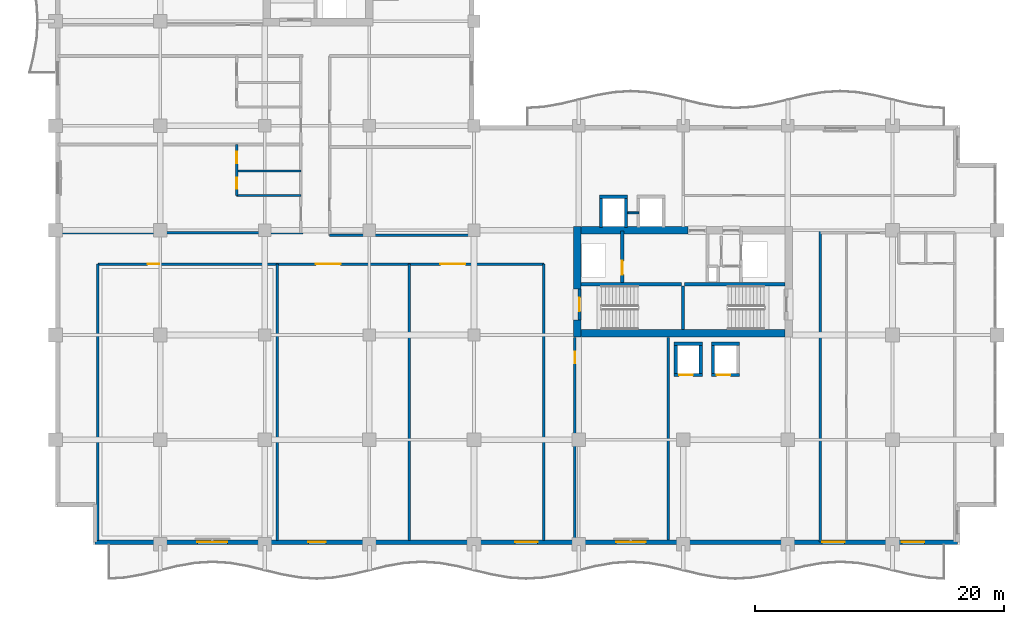
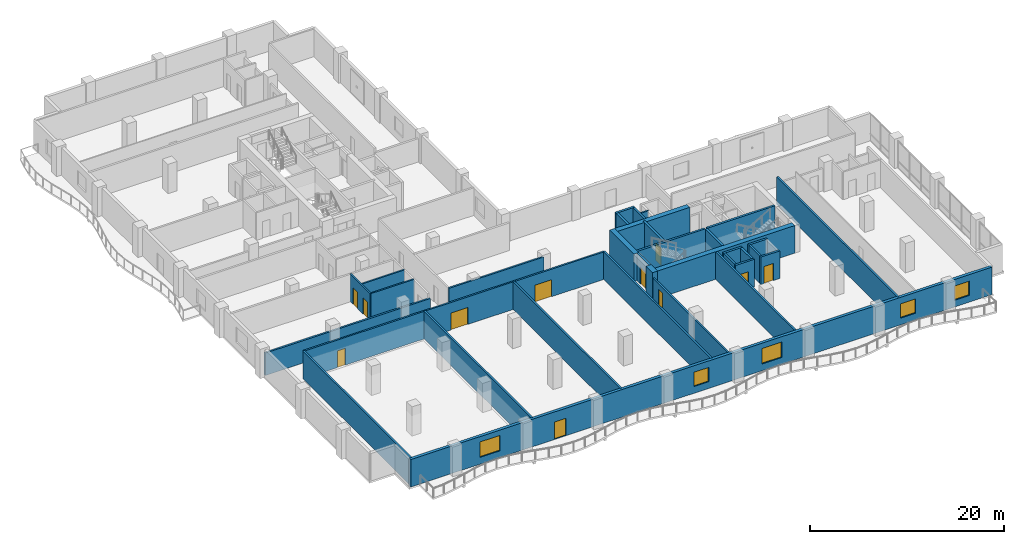
# One storey, part 9 of 20: 34 walls, 11 doors, 5 windows, 16 openings.
"""IFC4 building model written with IfcOpenShell, lengths in metres."""

from ifc_helpers import new_model, si_unit, direction, frame, frame_2d, origin, place, context, subcontext, project, spatial, rectangle, extrude, material, layer, layer_set, type_object, element, fill, save


model = new_model("IFC4")

# Units and contexts
model_context = context("Model", 3, precision=1e-05, world=origin(), true_north=direction((0.0, 1.0)))
body_context = subcontext(model_context, "Body", "Model", "MODEL_VIEW")
ifc_project = project(units=[si_unit("LENGTHUNIT", "METRE"), si_unit("AREAUNIT", "SQUARE_METRE"), si_unit("VOLUMEUNIT", "CUBIC_METRE"), si_unit("PLANEANGLEUNIT", "RADIAN"), si_unit("MASSUNIT", "GRAM", prefix="KILO")], contexts=[model_context])

# Site, building, storey
site_placement = place(None, origin())
site = spatial("IfcSite", under=ifc_project, at=site_placement, CompositionType="ELEMENT")
building_placement = place(site_placement, origin())
building = spatial("IfcBuilding", under=site, at=building_placement, Name="Koriwani Terraces Tower", CompositionType="ELEMENT")
storey_placement = place(building_placement, frame((0.0, 0.0, 212.39990234375)))
storey = spatial("IfcBuildingStorey", under=building, at=storey_placement, Name="L52", CompositionType="ELEMENT", Elevation=212.39990234375)

# Walls
ifc_material_1 = material(Name="Concrete C60/75", Category="concrete")
ifc_layer_1 = layer(ifc_material_1, 0.60009765625, Name="Concrete C60/75")
ifc_layer_set_1 = layer_set([ifc_layer_1], Name="Concrete C60/75")
wall_type_1 = type_object("IfcWallType", Name="WALL_CORE_RC_600", PredefinedType="SHEAR", material=ifc_layer_set_1)
wall_1_placement = place(storey_placement, frame((41.89990234375, 16.64990234375, 0.0), z_axis=(0.0, 0.0, 1.0), x_axis=(0.0, 1.0, 0.0)))
element("IfcWall", 1, at=wall_1_placement, inside=storey, type_object=wall_type_1, Name="L52 East Split Core Shear Wall W1", PredefinedType="SHEAR", context=body_context, shape_type="SweptSolid", body=[
    extrude(rectangle(XDim=1.35009765625, YDim=0.60009765625, at=frame_2d((0.675048828125, 0.0))), origin(), (0.0, 0.0, 1.0), 3.47021484375),
])
wall_2_placement = place(storey_placement, frame((41.89990234375, 20.5, 0.0), z_axis=(0.0, 0.0, 1.0), x_axis=(0.0, 1.0, 0.0)))
element("IfcWall", 2, at=wall_2_placement, inside=storey, type_object=wall_type_1, Name="L52 East Split Core Shear Wall W2", PredefinedType="SHEAR", context=body_context, shape_type="SweptSolid", body=[
    extrude(rectangle(XDim=5.0, YDim=0.60009765625, at=frame_2d((2.5, 0.0))), origin(), (0.0, 0.0, 1.0), 3.47021484375),
])
wall_3_placement = place(storey_placement, frame((42.199951171875, 16.949951171875, 0.0), z_axis=(0.0, 0.0, 1.0), x_axis=(1.0, 0.0, 0.0)))
element("IfcWall", 3, at=wall_3_placement, inside=storey, type_object=wall_type_1, Name="L52 East Split Core Shear Wall S1", PredefinedType="SHEAR", context=body_context, shape_type="SweptSolid", body=[
    extrude(rectangle(XDim=16.35009765625, YDim=0.60009765625, at=frame_2d((8.175048828125, 0.0))), origin(), (0.0, 0.0, 1.0), 3.47021484375),
])
wall_4_placement = place(storey_placement, frame((42.199951171875, 25.199951171875, 0.0), z_axis=(0.0, 0.0, 1.0), x_axis=(1.0, 0.0, 0.0)))
element("IfcWall", 4, at=wall_4_placement, inside=storey, type_object=wall_type_1, Name="L52 East Split Core Shear Wall N1", PredefinedType="SHEAR", context=body_context, shape_type="SweptSolid", body=[
    extrude(rectangle(XDim=8.60009765625, YDim=0.60009765625, at=frame_2d((4.300048828125, 0.0))), origin(), (0.0, 0.0, 1.0), 3.47021484375),
])

# Wall, opening, door
ifc_material_2 = material(Name="Autoclaved Cellular Concrete Blockwork", Category="masonry")
ifc_layer_2 = layer(ifc_material_2, 0.199951171875, Name="Autoclaved Cellular Concrete Blockwork")
ifc_layer_set_2 = layer_set([ifc_layer_2], Name="Autoclaved Cellular Concrete Blockwork")
wall_type_2 = type_object("IfcWallType", Name="WALL_CORRIDOR_200", PredefinedType="PARTITIONING", material=ifc_layer_set_2)
wall_5_placement = place(storey_placement, frame((41.699951171875, 0.35009765625, 0.0), z_axis=(0.0, 0.0, 1.0), x_axis=(0.0, 1.0, 0.0)))
wall_5 = element("IfcWall", 5, at=wall_5_placement, inside=storey, type_object=wall_type_2, Name="L52 Interior Wall WREC-EW-L52", PredefinedType="PARTITIONING", context=body_context, shape_type="SweptSolid", body=[
    extrude(rectangle(XDim=16.25, YDim=0.199951171875, at=frame_2d((8.125, 0.0))), origin(), (0.0, 0.0, 1.0), 2.820068359375),
])
opening_1_placement = place(wall_5_placement, frame((14.199951171875, 0.0, 0.0)))
opening_1 = element("IfcOpeningElement", 6, at=opening_1_placement, cuts=wall_5, Name="Opening D-06", PredefinedType="OPENING", context=body_context, shape_type="SweptSolid", body=[
    extrude(rectangle(XDim=0.919921875, YDim=2.10009765625, at=frame_2d((0.4599609375, 1.050048828125))), frame((0.0, 0.10986328125, 0.0), z_axis=(0.0, -1.0, 0.0), x_axis=(1.0, 0.0, 0.0)), (0.0, 0.0, 1.0), 0.219970703125),
])
ifc_material_3 = material(Name="Architectural Oak Fire Door", Category="wood")
door_type_1 = type_object("IfcDoorType", Name="DOOR_ROOM_INT_920X2100", OperationType="NOTDEFINED", PredefinedType="DOOR", material=ifc_material_3)
door_1_placement = place(opening_1_placement, origin())
door_1 = element("IfcDoor", 7, at=door_1_placement, inside=storey, type_object=door_type_1, Name="L52 Resident Co-Working Study Door", OperationType="SINGLE_SWING_LEFT", OverallHeight=2.10009765625, OverallWidth=0.919921875, PredefinedType="DOOR", context=body_context, shape_type="SweptSolid", body=[
    extrude(rectangle(XDim=0.919921875, YDim=2.10009765625, at=frame_2d((0.4599609375, 1.050048828125))), frame((0.0, 0.02490234375, 0.0), z_axis=(0.0, -1.0, 0.0), x_axis=(1.0, 0.0, 0.0)), (0.0, 0.0, 1.0), 0.050048828125),
])
fill(opening_1, door_1)

# Wall
wall_6_placement = place(storey_placement, frame((22.0, 24.800048828125, 0.0), z_axis=(0.0, 0.0, 1.0), x_axis=(1.0, 0.0, 0.0)))
element("IfcWall", 8, at=wall_6_placement, inside=storey, type_object=wall_type_2, Name="L52 Interior Wall WIC2-S-L52", PredefinedType="PARTITIONING", context=body_context, shape_type="SweptSolid", body=[
    extrude(rectangle(XDim=11.300048828125, YDim=0.199951171875, at=frame_2d((5.64990234375, 0.0))), origin(), (0.0, 0.0, 1.0), 3.47021484375),
])

# Wall, openings, doors
wall_7_placement = place(storey_placement, frame((3.39990234375, 22.5, 0.0), z_axis=(0.0, 0.0, 1.0), x_axis=(1.0, 0.0, 0.0)))
wall_7 = element("IfcWall", 9, at=wall_7_placement, inside=storey, type_object=wall_type_2, Name="L52 Interior Wall WC2CLB-L52", PredefinedType="PARTITIONING", context=body_context, shape_type="SweptSolid", body=[
    extrude(rectangle(XDim=35.800048828125, YDim=0.199951171875, at=frame_2d((17.89990234375, 0.0))), origin(), (0.0, 0.0, 1.0), 3.47021484375),
])
opening_2_placement = place(wall_7_placement, frame((4.0, 0.0, 0.0)))
opening_2 = element("IfcOpeningElement", 10, at=opening_2_placement, cuts=wall_7, Name="Opening D-06", PredefinedType="OPENING", context=body_context, shape_type="SweptSolid", body=[
    extrude(rectangle(XDim=0.919921875, YDim=2.10009765625, at=frame_2d((0.4599609375, 1.050048828125))), frame((0.0, 0.10986328125, 0.0), z_axis=(0.0, -1.0, 0.0), x_axis=(1.0, 0.0, 0.0)), (0.0, 0.0, 1.0), 0.219970703125),
])
opening_3_placement = place(wall_7_placement, frame((17.5, 0.0, 0.0)))
opening_3 = element("IfcOpeningElement", 11, at=opening_3_placement, cuts=wall_7, Name="Opening D-02", PredefinedType="OPENING", context=body_context, shape_type="SweptSolid", body=[
    extrude(rectangle(XDim=2.0, YDim=2.14990234375, at=frame_2d((1.0, 1.074951171875))), frame((0.0, 0.10986328125, 0.0), z_axis=(0.0, -1.0, 0.0), x_axis=(1.0, 0.0, 0.0)), (0.0, 0.0, 1.0), 0.219970703125),
])
opening_4_placement = place(wall_7_placement, frame((27.5, 0.0, 0.0)))
opening_4 = element("IfcOpeningElement", 12, at=opening_4_placement, cuts=wall_7, Name="Opening D-02", PredefinedType="OPENING", context=body_context, shape_type="SweptSolid", body=[
    extrude(rectangle(XDim=2.0, YDim=2.14990234375, at=frame_2d((1.0, 1.074951171875))), frame((0.0, 0.10986328125, 0.0), z_axis=(0.0, -1.0, 0.0), x_axis=(1.0, 0.0, 0.0)), (0.0, 0.0, 1.0), 0.219970703125),
])
ifc_material_4 = material(Name="Anodised Bronze Aluminium", Category="aluminium")
door_type_2 = type_object("IfcDoorType", Name="DOOR_ENTRANCE_DOUBLE_2000X2400", OperationType="NOTDEFINED", PredefinedType="DOOR", material=ifc_material_4)
door_2_placement = place(opening_3_placement, origin())
door_2 = element("IfcDoor", 13, at=door_2_placement, inside=storey, type_object=door_type_2, Name="L52 Sky Club Lounge Door", OperationType="SINGLE_SWING_LEFT", OverallHeight=2.14990234375, OverallWidth=2.0, PredefinedType="DOOR", context=body_context, shape_type="SweptSolid", body=[
    extrude(rectangle(XDim=2.0, YDim=2.14990234375, at=frame_2d((1.0, 1.074951171875))), frame((0.0, 0.02490234375, 0.0), z_axis=(0.0, -1.0, 0.0), x_axis=(1.0, 0.0, 0.0)), (0.0, 0.0, 1.0), 0.050048828125),
])
fill(opening_3, door_2)
door_3_placement = place(opening_4_placement, origin())
door_3 = element("IfcDoor", 14, at=door_3_placement, inside=storey, type_object=door_type_2, Name="L52 Private Dining Room Door", OperationType="SINGLE_SWING_RIGHT", OverallHeight=2.14990234375, OverallWidth=2.0, PredefinedType="DOOR", context=body_context, shape_type="SweptSolid", body=[
    extrude(rectangle(XDim=2.0, YDim=2.14990234375, at=frame_2d((1.0, 1.074951171875))), frame((0.0, 0.02490234375, 0.0), z_axis=(0.0, -1.0, 0.0), x_axis=(1.0, 0.0, 0.0)), (0.0, 0.0, 1.0), 0.050048828125),
])
fill(opening_4, door_3)
door_4_placement = place(opening_2_placement, origin())
door_4 = element("IfcDoor", 15, at=door_4_placement, inside=storey, type_object=door_type_1, Name="L52 Wine Tasting Cellar Door", OperationType="SINGLE_SWING_RIGHT", OverallHeight=2.10009765625, OverallWidth=0.919921875, PredefinedType="DOOR", context=body_context, shape_type="SweptSolid", body=[
    extrude(rectangle(XDim=0.919921875, YDim=2.10009765625, at=frame_2d((0.4599609375, 1.050048828125))), frame((0.0, 0.02490234375, 0.0), z_axis=(0.0, -1.0, 0.0), x_axis=(1.0, 0.0, 0.0)), (0.0, 0.0, 1.0), 0.050048828125),
])
fill(opening_2, door_4)

# Walls
ifc_layer_3 = layer(ifc_material_2, 0.219970703125, Name="Autoclaved Cellular Concrete Blockwork")
ifc_layer_set_3 = layer_set([ifc_layer_3], Name="Autoclaved Cellular Concrete Blockwork")
wall_type_3 = type_object("IfcWallType", Name="WALL_DEMISING_220", PredefinedType="PARTITIONING", material=ifc_layer_set_3)
wall_8_placement = place(storey_placement, frame((49.199951171875, 0.35009765625, 0.0), z_axis=(0.0, 0.0, 1.0), x_axis=(0.0, 1.0, 0.0)))
element("IfcWall", 16, at=wall_8_placement, inside=storey, type_object=wall_type_3, Name="L52 Interior Wall WREC-EE-L52", PredefinedType="PARTITIONING", context=body_context, shape_type="SweptSolid", body=[
    extrude(rectangle(XDim=16.25, YDim=0.219970703125, at=frame_2d((8.125, 0.0))), origin(), (0.0, 0.0, 1.0), 3.47021484375),
])
for number, where, z_axis, x_axis, name in (
    (17, (3.39990234375, 0.300048828125, 0.0), (0.0, 0.0, 1.0), (0.0, 1.0, 0.0), "L52 Interior Wall WC2CLBW0-L52"),
    (18, (17.800048828125, 0.300048828125, 0.0), (0.0, 0.0, 1.0), (0.0, 1.0, 0.0), "L52 Interior Wall WC2CLBW-L52"),
    (19, (28.39990234375, 0.300048828125, 0.0), (0.0, 0.0, 1.0), (0.0, 1.0, 0.0), "L52 Interior Wall WC2CLBM-L52"),
    (20, (39.199951171875, 0.300048828125, 0.0), (0.0, 0.0, 1.0), (0.0, 1.0, 0.0), "L52 Interior Wall WC2CLBE-L52"),
):
    element("IfcWall", number, at=place(storey_placement, frame(where, z_axis=z_axis, x_axis=x_axis)), inside=storey, type_object=wall_type_3, Name=name, PredefinedType="PARTITIONING", context=body_context, shape_type="SweptSolid", body=[
        extrude(rectangle(XDim=22.199951171875, YDim=0.219970703125, at=frame_2d((11.10009765625, 0.0))), origin(), (0.0, 0.0, 1.0), 3.47021484375),
    ])
wall_9_placement = place(storey_placement, frame((0.199951171875, 25.0, 0.0), z_axis=(0.0, 0.0, 1.0), x_axis=(1.0, 0.0, 0.0)))
element("IfcWall", 21, at=wall_9_placement, inside=storey, type_object=wall_type_3, Name="L52 Interior Wall WRDEM-L52-NW-0", PredefinedType="PARTITIONING", context=body_context, shape_type="SweptSolid", body=[
    extrude(rectangle(XDim=19.679931640625, YDim=0.219970703125, at=frame_2d((9.83984375, 0.0))), origin(), (0.0, 0.0, 1.0), 2.820068359375),
])
wall_10_placement = place(storey_placement, frame((61.39990234375, 0.199951171875, 0.0), z_axis=(0.0, 0.0, 1.0), x_axis=(0.0, 1.0, 0.0)))
element("IfcWall", 22, at=wall_10_placement, inside=storey, type_object=wall_type_3, Name="L52 Interior Wall WRDEM-L52-SE-0", PredefinedType="PARTITIONING", context=body_context, shape_type="SweptSolid", body=[
    extrude(rectangle(XDim=24.97998046875, YDim=0.219970703125, at=frame_2d((12.489990234375, 0.0))), origin(), (0.0, 0.0, 1.0), 3.47021484375),
])

# Wall, openings, door, windows
ifc_material_5 = material(Name="Concrete C50/60", Category="concrete")
ifc_layer_4 = layer(ifc_material_5, 0.35009765625, Name="Concrete C50/60")
ifc_layer_set_4 = layer_set([ifc_layer_4], Name="Concrete C50/60")
wall_type_4 = type_object("IfcWallType", Name="WALL_EXT_BRUTALIST_350", PredefinedType="STANDARD", material=ifc_layer_set_4)
wall_11_placement = place(storey_placement, frame((72.425048828125, 0.175048828125, 0.0), z_axis=(0.0, 0.0, 1.0), x_axis=(-1.0, 0.0, 0.0)))
wall_11 = element("IfcWall", 23, at=wall_11_placement, inside=storey, type_object=wall_type_4, Name="L52 Fair-Faced Brutalist Exterior Wall (S)", PredefinedType="STANDARD", context=body_context, shape_type="SweptSolid", body=[
    extrude(rectangle(XDim=69.25, YDim=0.35009765625, at=frame_2d((34.625, 0.0))), origin(), (0.0, 0.0, 1.0), 3.47021484375),
])
opening_5_placement = place(wall_11_placement, frame((50.72509765625, 0.0, 0.0)))
opening_5 = element("IfcOpeningElement", 24, at=opening_5_placement, cuts=wall_11, Name="Opening D-09", PredefinedType="OPENING", context=body_context, shape_type="SweptSolid", body=[
    extrude(rectangle(XDim=1.39990234375, YDim=2.199951171875, at=frame_2d((0.699951171875, 1.10009765625))), frame((0.0, 0.18505859375, 0.0), z_axis=(0.0, -1.0, 0.0), x_axis=(1.0, 0.0, 0.0)), (0.0, 0.0, 1.0), 0.3701171875),
])
opening_6_placement = place(wall_11_placement, frame((58.625, 0.0, 0.85009765625)))
opening_6 = element("IfcOpeningElement", 25, at=opening_6_placement, cuts=wall_11, Name="Opening W-03", PredefinedType="OPENING", context=body_context, shape_type="SweptSolid", body=[
    extrude(rectangle(XDim=2.39990234375, YDim=1.949951171875, at=frame_2d((1.199951171875, 0.97509765625))), frame((0.0, 0.18505859375, 0.0), z_axis=(0.0, -1.0, 0.0), x_axis=(1.0, 0.0, 0.0)), (0.0, 0.0, 1.0), 0.3701171875),
])
opening_7_placement = place(wall_11_placement, frame((33.72509765625, 0.0, 0.85009765625)))
opening_7 = element("IfcOpeningElement", 26, at=opening_7_placement, cuts=wall_11, Name="Opening W-04", PredefinedType="OPENING", context=body_context, shape_type="SweptSolid", body=[
    extrude(rectangle(XDim=1.800048828125, YDim=1.800048828125, at=frame_2d((0.89990234375, 0.89990234375))), frame((0.0, 0.18505859375, 0.0), z_axis=(0.0, -1.0, 0.0), x_axis=(1.0, 0.0, 0.0)), (0.0, 0.0, 1.0), 0.3701171875),
])
opening_8_placement = place(wall_11_placement, frame((25.02490234375, 0.0, 0.85009765625)))
opening_8 = element("IfcOpeningElement", 27, at=opening_8_placement, cuts=wall_11, Name="Opening W-03", PredefinedType="OPENING", context=body_context, shape_type="SweptSolid", body=[
    extrude(rectangle(XDim=2.39990234375, YDim=1.949951171875, at=frame_2d((1.199951171875, 0.97509765625))), frame((0.0, 0.18505859375, 0.0), z_axis=(0.0, -1.0, 0.0), x_axis=(1.0, 0.0, 0.0)), (0.0, 0.0, 1.0), 0.3701171875),
])
opening_9_placement = place(wall_11_placement, frame((9.074951171875, 0.0, 0.85009765625)))
opening_9 = element("IfcOpeningElement", 28, at=opening_9_placement, cuts=wall_11, Name="Opening W-04", PredefinedType="OPENING", context=body_context, shape_type="SweptSolid", body=[
    extrude(rectangle(XDim=1.800048828125, YDim=1.800048828125, at=frame_2d((0.89990234375, 0.89990234375))), frame((0.0, 0.18505859375, 0.0), z_axis=(0.0, -1.0, 0.0), x_axis=(1.0, 0.0, 0.0)), (0.0, 0.0, 1.0), 0.3701171875),
])
opening_10_placement = place(wall_11_placement, frame((2.675048828125, 0.0, 0.85009765625)))
opening_10 = element("IfcOpeningElement", 29, at=opening_10_placement, cuts=wall_11, Name="Opening W-04", PredefinedType="OPENING", context=body_context, shape_type="SweptSolid", body=[
    extrude(rectangle(XDim=1.800048828125, YDim=1.800048828125, at=frame_2d((0.89990234375, 0.89990234375))), frame((0.0, 0.18505859375, 0.0), z_axis=(0.0, -1.0, 0.0), x_axis=(1.0, 0.0, 0.0)), (0.0, 0.0, 1.0), 0.3701171875),
])
door_type_3 = type_object("IfcDoorType", Name="DOOR_BALCONY_GLAZED_1400X2200", OperationType="NOTDEFINED", PredefinedType="DOOR", material=ifc_material_4)
door_5_placement = place(opening_5_placement, origin())
door_5 = element("IfcDoor", 30, at=door_5_placement, inside=storey, type_object=door_type_3, Name="L52 South Balcony Glazed Door", OperationType="SINGLE_SWING_LEFT", OverallHeight=2.199951171875, OverallWidth=1.39990234375, PredefinedType="DOOR", context=body_context, shape_type="SweptSolid", body=[
    extrude(rectangle(XDim=1.39990234375, YDim=2.199951171875, at=frame_2d((0.699951171875, 1.10009765625))), frame((0.0, 0.02490234375, 0.0), z_axis=(0.0, -1.0, 0.0), x_axis=(1.0, 0.0, 0.0)), (0.0, 0.0, 1.0), 0.050048828125),
])
fill(opening_5, door_5)
ifc_material_6 = material(Name="Tempered Laminated Low-E Glass", Category="glass")
window_type_1 = type_object("IfcWindowType", Name="WIN_RES_BED_1800X1800", PartitioningType="DOUBLE_PANEL_VERTICAL", PredefinedType="WINDOW", material=ifc_material_6)
window_1_placement = place(opening_7_placement, origin())
window_1 = element("IfcWindow", 31, at=window_1_placement, inside=storey, type_object=window_type_1, Name="L52 Exterior Window (S-12)", OverallHeight=1.800048828125, OverallWidth=1.800048828125, PartitioningType="SINGLE_PANEL", PredefinedType="WINDOW", context=body_context, shape_type="SweptSolid", body=[
    extrude(rectangle(XDim=1.800048828125, YDim=1.800048828125, at=frame_2d((0.89990234375, 0.89990234375))), frame((0.0, 0.030029296875, 0.0), z_axis=(0.0, -1.0, 0.0), x_axis=(1.0, 0.0, 0.0)), (0.0, 0.0, 1.0), 0.06005859375),
])
fill(opening_7, window_1)
window_2_placement = place(opening_9_placement, origin())
window_2 = element("IfcWindow", 32, at=window_2_placement, inside=storey, type_object=window_type_1, Name="L52 Exterior Window (S-R49)", OverallHeight=1.800048828125, OverallWidth=1.800048828125, PartitioningType="SINGLE_PANEL", PredefinedType="WINDOW", context=body_context, shape_type="SweptSolid", body=[
    extrude(rectangle(XDim=1.800048828125, YDim=1.800048828125, at=frame_2d((0.89990234375, 0.89990234375))), frame((0.0, 0.030029296875, 0.0), z_axis=(0.0, -1.0, 0.0), x_axis=(1.0, 0.0, 0.0)), (0.0, 0.0, 1.0), 0.06005859375),
])
fill(opening_9, window_2)
window_3_placement = place(opening_10_placement, origin())
window_3 = element("IfcWindow", 33, at=window_3_placement, inside=storey, type_object=window_type_1, Name="L52 Exterior Window (S-R50)", OverallHeight=1.800048828125, OverallWidth=1.800048828125, PartitioningType="SINGLE_PANEL", PredefinedType="WINDOW", context=body_context, shape_type="SweptSolid", body=[
    extrude(rectangle(XDim=1.800048828125, YDim=1.800048828125, at=frame_2d((0.89990234375, 0.89990234375))), frame((0.0, 0.030029296875, 0.0), z_axis=(0.0, -1.0, 0.0), x_axis=(1.0, 0.0, 0.0)), (0.0, 0.0, 1.0), 0.06005859375),
])
fill(opening_10, window_3)
window_type_2 = type_object("IfcWindowType", Name="WIN_RES_LIVING_2400X1950", PartitioningType="DOUBLE_PANEL_VERTICAL", PredefinedType="WINDOW", material=ifc_material_6)
window_4_placement = place(opening_6_placement, origin())
window_4 = element("IfcWindow", 34, at=window_4_placement, inside=storey, type_object=window_type_2, Name="L52 Exterior Window (S-3)", OverallHeight=1.949951171875, OverallWidth=2.39990234375, PartitioningType="SINGLE_PANEL", PredefinedType="WINDOW", context=body_context, shape_type="SweptSolid", body=[
    extrude(rectangle(XDim=2.39990234375, YDim=1.949951171875, at=frame_2d((1.199951171875, 0.97509765625))), frame((0.0, 0.030029296875, 0.0), z_axis=(0.0, -1.0, 0.0), x_axis=(1.0, 0.0, 0.0)), (0.0, 0.0, 1.0), 0.06005859375),
])
fill(opening_6, window_4)
window_5_placement = place(opening_8_placement, origin())
window_5 = element("IfcWindow", 35, at=window_5_placement, inside=storey, type_object=window_type_2, Name="L52 Exterior Window (S-15)", OverallHeight=1.949951171875, OverallWidth=2.39990234375, PartitioningType="SINGLE_PANEL", PredefinedType="WINDOW", context=body_context, shape_type="SweptSolid", body=[
    extrude(rectangle(XDim=2.39990234375, YDim=1.949951171875, at=frame_2d((1.199951171875, 0.97509765625))), frame((0.0, 0.030029296875, 0.0), z_axis=(0.0, -1.0, 0.0), x_axis=(1.0, 0.0, 0.0)), (0.0, 0.0, 1.0), 0.06005859375),
])
fill(opening_8, window_5)

# Wall, openings, doors
ifc_material_7 = material(Name="Fire-Rated Acoustic Gypsum Partition", Category="masonry")
ifc_layer_5 = layer(ifc_material_7, 0.179931640625, Name="Fire-Rated Acoustic Gypsum Partition")
ifc_layer_set_5 = layer_set([ifc_layer_5], Name="Fire-Rated Acoustic Gypsum Partition")
wall_type_5 = type_object("IfcWallType", Name="WALL_PLUMBING_180", PredefinedType="PLUMBINGWALL", material=ifc_layer_set_5)
wall_12_placement = place(storey_placement, frame((14.550048828125, 28.0, 0.0), z_axis=(0.0, 0.0, 1.0), x_axis=(0.0, 1.0, 0.0)))
wall_12 = element("IfcWall", 36, at=wall_12_placement, inside=storey, type_object=wall_type_5, Name="L52 Interior Wall WRSVC-L52-NW-0", PredefinedType="PLUMBINGWALL", context=body_context, shape_type="SweptSolid", body=[
    extrude(rectangle(XDim=4.10009765625, YDim=0.179931640625, at=frame_2d((2.050048828125, 0.0))), origin(), (0.0, 0.0, 1.0), 3.47021484375),
])
opening_11_placement = place(wall_12_placement, frame((0.533935546875, 0.0, 0.0)))
opening_11 = element("IfcOpeningElement", 37, at=opening_11_placement, cuts=wall_12, Name="Opening D-07", PredefinedType="OPENING", context=body_context, shape_type="SweptSolid", body=[
    extrude(rectangle(XDim=0.89990234375, YDim=2.10009765625, at=frame_2d((0.449951171875, 1.050048828125))), frame((0.0, 0.10009765625, 0.0), z_axis=(0.0, -1.0, 0.0), x_axis=(1.0, 0.0, 0.0)), (0.0, 0.0, 1.0), 0.199951171875),
])
opening_12_placement = place(wall_12_placement, frame((2.573974609375, 0.0, 0.0)))
opening_12 = element("IfcOpeningElement", 38, at=opening_12_placement, cuts=wall_12, Name="Opening D-06", PredefinedType="OPENING", context=body_context, shape_type="SweptSolid", body=[
    extrude(rectangle(XDim=0.919921875, YDim=2.10009765625, at=frame_2d((0.4599609375, 1.050048828125))), frame((0.0, 0.10009765625, 0.0), z_axis=(0.0, -1.0, 0.0), x_axis=(1.0, 0.0, 0.0)), (0.0, 0.0, 1.0), 0.199951171875),
])
door_type_4 = type_object("IfcDoorType", Name="DOOR_BATH_INT_900X2100", OperationType="NOTDEFINED", PredefinedType="DOOR", material=ifc_material_3)
door_6_placement = place(opening_11_placement, origin())
door_6 = element("IfcDoor", 39, at=door_6_placement, inside=storey, type_object=door_type_4, Name="Apartment 52NW1 Bathroom Door", OperationType="SINGLE_SWING_RIGHT", OverallHeight=2.10009765625, OverallWidth=0.89990234375, PredefinedType="DOOR", context=body_context, shape_type="SweptSolid", body=[
    extrude(rectangle(XDim=0.89990234375, YDim=2.10009765625, at=frame_2d((0.449951171875, 1.050048828125))), frame((0.0, 0.02490234375, 0.0), z_axis=(0.0, -1.0, 0.0), x_axis=(1.0, 0.0, 0.0)), (0.0, 0.0, 1.0), 0.050048828125),
])
fill(opening_11, door_6)
door_7_placement = place(opening_12_placement, origin())
door_7 = element("IfcDoor", 40, at=door_7_placement, inside=storey, type_object=door_type_1, Name="Apartment 52NW1 Kitchen Door", OperationType="SINGLE_SWING_LEFT", OverallHeight=2.10009765625, OverallWidth=0.919921875, PredefinedType="DOOR", context=body_context, shape_type="SweptSolid", body=[
    extrude(rectangle(XDim=0.919921875, YDim=2.10009765625, at=frame_2d((0.4599609375, 1.050048828125))), frame((0.0, 0.02490234375, 0.0), z_axis=(0.0, -1.0, 0.0), x_axis=(1.0, 0.0, 0.0)), (0.0, 0.0, 1.0), 0.050048828125),
])
fill(opening_12, door_7)

# Walls
for number, where, z_axis, x_axis, name in (
    (41, (14.550048828125, 28.0, 0.0), (0.0, 0.0, 1.0), (1.0, 0.0, 0.0), "L52 Interior Wall WRSVCS-L52-NW-0"),
    (42, (14.550048828125, 29.968017578125, 0.0), (0.0, 0.0, 1.0), (1.0, 0.0, 0.0), "L52 Interior Wall WRSVCM-L52-NW-0"),
):
    element("IfcWall", number, at=place(storey_placement, frame(where, z_axis=z_axis, x_axis=x_axis)), inside=storey, type_object=wall_type_5, Name=name, PredefinedType="PLUMBINGWALL", context=body_context, shape_type="SweptSolid", body=[
        extrude(rectangle(XDim=5.14990234375, YDim=0.179931640625, at=frame_2d((2.574951171875, 0.0))), origin(), (0.0, 0.0, 1.0), 3.47021484375),
    ])
ifc_material_8 = material(Name="Concrete C40/50", Category="concrete")
ifc_layer_6 = layer(ifc_material_8, 0.25, Name="Concrete C40/50")
ifc_layer_set_6 = layer_set([ifc_layer_6], Name="Concrete C40/50")
wall_type_6 = type_object("IfcWallType", Name="WALL_SHAFT_RATED_250", PredefinedType="SOLIDWALL", material=ifc_layer_set_6)
for number, where, z_axis, x_axis, name in (
    (43, (42.199951171875, 20.875, 0.0), (0.0, 0.0, 1.0), (1.0, 0.0, 0.0), "L52 East Split Core Web Wall MID1"),
    (44, (50.5, 20.875, 0.0), (0.0, 0.0, 1.0), (1.0, 0.0, 0.0), "L52 East Split Core Web Wall MID2"),
):
    element("IfcWall", number, at=place(storey_placement, frame(where, z_axis=z_axis, x_axis=x_axis)), inside=storey, type_object=wall_type_6, Name=name, PredefinedType="SOLIDWALL", context=body_context, shape_type="SweptSolid", body=[
        extrude(rectangle(XDim=8.050048828125, YDim=0.25, at=frame_2d((4.02490234375, 0.0))), origin(), (0.0, 0.0, 1.0), 3.47021484375),
    ])
wall_13_placement = place(storey_placement, frame((50.375, 17.25, 0.0), z_axis=(0.0, 0.0, 1.0), x_axis=(0.0, 1.0, 0.0)))
element("IfcWall", 45, at=wall_13_placement, inside=storey, type_object=wall_type_6, Name="L52 East Split Core Stair Dividing Wall", PredefinedType="SOLIDWALL", context=body_context, shape_type="SweptSolid", body=[
    extrude(rectangle(XDim=3.5, YDim=0.25, at=frame_2d((1.75, 0.0))), origin(), (0.0, 0.0, 1.0), 3.47021484375),
])

# Wall, opening, door
wall_14_placement = place(storey_placement, frame((42.074951171875, 18.0, 0.0), z_axis=(0.0, 0.0, 1.0), x_axis=(0.0, 1.0, 0.0)))
wall_14 = element("IfcWall", 46, at=wall_14_placement, inside=storey, type_object=wall_type_6, Name="L52 Interior Wall WIN-CE-L52-STW", PredefinedType="SOLIDWALL", context=body_context, shape_type="SweptSolid", body=[
    extrude(rectangle(XDim=2.5, YDim=0.25, at=frame_2d((1.25, 0.0))), origin(), (0.0, 0.0, 1.0), 3.47021484375),
])
opening_13_placement = place(wall_14_placement, frame((0.699951171875, 0.0, 0.0)))
opening_13 = element("IfcOpeningElement", 47, at=opening_13_placement, cuts=wall_14, Name="Opening D-03", PredefinedType="OPENING", context=body_context, shape_type="SweptSolid", body=[
    extrude(rectangle(XDim=1.10009765625, YDim=2.14990234375, at=frame_2d((0.550048828125, 1.074951171875))), frame((0.0, 0.135009765625, 0.0), z_axis=(0.0, -1.0, 0.0), x_axis=(1.0, 0.0, 0.0)), (0.0, 0.0, 1.0), 0.27001953125),
])
ifc_material_9 = material(Name="Steel ASTM A572 Grade 50", Category="steel")
door_type_5 = type_object("IfcDoorType", Name="DOOR_STAIR_FIRE_1100X2150", OperationType="NOTDEFINED", PredefinedType="DOOR", material=ifc_material_9)
door_8_placement = place(opening_13_placement, origin())
door_8 = element("IfcDoor", 48, at=door_8_placement, inside=storey, type_object=door_type_5, Name="L52 Exit Stair ST-E1 Door", OperationType="SINGLE_SWING_RIGHT", OverallHeight=2.14990234375, OverallWidth=1.10009765625, PredefinedType="DOOR", context=body_context, shape_type="SweptSolid", body=[
    extrude(rectangle(XDim=1.10009765625, YDim=2.14990234375, at=frame_2d((0.550048828125, 1.074951171875))), frame((0.0, 0.02490234375, 0.0), z_axis=(0.0, -1.0, 0.0), x_axis=(1.0, 0.0, 0.0)), (0.0, 0.0, 1.0), 0.050048828125),
])
fill(opening_13, door_8)

wall_15_placement = place(storey_placement, frame((45.5, 21.0, 0.0), z_axis=(0.0, 0.0, 1.0), x_axis=(0.0, 1.0, 0.0)))
wall_15 = element("IfcWall", 49, at=wall_15_placement, inside=storey, type_object=wall_type_6, Name="L52 Interior Wall WIN-CE-L52-FE", PredefinedType="SOLIDWALL", context=body_context, shape_type="SweptSolid", body=[
    extrude(rectangle(XDim=4.14990234375, YDim=0.25, at=frame_2d((2.074951171875, 0.0))), origin(), (0.0, 0.0, 1.0), 3.47021484375),
])
opening_14_placement = place(wall_15_placement, frame((0.64990234375, 0.0, 0.0)))
opening_14 = element("IfcOpeningElement", 50, at=opening_14_placement, cuts=wall_15, Name="Opening LD-01", PredefinedType="OPENING", context=body_context, shape_type="SweptSolid", body=[
    extrude(rectangle(XDim=1.10009765625, YDim=2.14990234375, at=frame_2d((0.550048828125, 1.074951171875))), frame((0.0, 0.135009765625, 0.0), z_axis=(0.0, -1.0, 0.0), x_axis=(1.0, 0.0, 0.0)), (0.0, 0.0, 1.0), 0.27001953125),
])
door_type_6 = type_object("IfcDoorType", Name="DOOR_LIFT_LANDING_1100X2200", OperationType="NOTDEFINED", PredefinedType="DOOR", material=ifc_material_9)
door_9_placement = place(opening_14_placement, origin())
door_9 = element("IfcDoor", 51, at=door_9_placement, inside=storey, type_object=door_type_6, Name="L52 Firefighting Lift FE-02 Landing Door", OperationType="SLIDING_TO_LEFT", OverallHeight=2.14990234375, OverallWidth=1.10009765625, PredefinedType="DOOR", context=body_context, shape_type="SweptSolid", body=[
    extrude(rectangle(XDim=1.10009765625, YDim=2.14990234375, at=frame_2d((0.550048828125, 1.074951171875))), frame((0.0, 0.02490234375, 0.0), z_axis=(0.0, -1.0, 0.0), x_axis=(1.0, 0.0, 0.0)), (0.0, 0.0, 1.0), 0.050048828125),
])
fill(opening_14, door_9)

wall_16_placement = place(storey_placement, frame((49.675048828125, 13.60009765625, 0.0), z_axis=(0.0, 0.0, 1.0), x_axis=(1.0, 0.0, 0.0)))
wall_16 = element("IfcWall", 52, at=wall_16_placement, inside=storey, type_object=wall_type_6, Name="L52 Interior Wall WIN-LF-PE-M3-L52-F", PredefinedType="SOLIDWALL", context=body_context, shape_type="SweptSolid", body=[
    extrude(rectangle(XDim=2.25, YDim=0.25, at=frame_2d((1.125, 0.0))), origin(), (0.0, 0.0, 1.0), 3.47021484375),
])
opening_15_placement = place(wall_16_placement, frame((0.39990234375, 0.0, 0.0)))
opening_15 = element("IfcOpeningElement", 53, at=opening_15_placement, cuts=wall_16, Name="Opening LD-01", PredefinedType="OPENING", context=body_context, shape_type="SweptSolid", body=[
    extrude(rectangle(XDim=1.10009765625, YDim=2.14990234375, at=frame_2d((0.550048828125, 1.074951171875))), frame((0.0, 0.135009765625, 0.0), z_axis=(0.0, -1.0, 0.0), x_axis=(1.0, 0.0, 0.0)), (0.0, 0.0, 1.0), 0.27001953125),
])
door_10_placement = place(opening_15_placement, origin())
door_10 = element("IfcDoor", 54, at=door_10_placement, inside=storey, type_object=door_type_6, Name="L52 Passenger Lift PE-M3 Landing Door", OperationType="SLIDING_TO_LEFT", OverallHeight=2.14990234375, OverallWidth=1.10009765625, PredefinedType="DOOR", context=body_context, shape_type="SweptSolid", body=[
    extrude(rectangle(XDim=1.10009765625, YDim=2.14990234375, at=frame_2d((0.550048828125, 1.074951171875))), frame((0.0, 0.02490234375, 0.0), z_axis=(0.0, -1.0, 0.0), x_axis=(1.0, 0.0, 0.0)), (0.0, 0.0, 1.0), 0.050048828125),
])
fill(opening_15, door_10)

# Walls
for number, where, z_axis, x_axis, name in (
    (55, (49.675048828125, 16.10009765625, 0.0), (0.0, 0.0, 1.0), (1.0, 0.0, 0.0), "L52 Interior Wall WIN-LF-PE-M3-L52-B"),
    (56, (49.800048828125, 13.72509765625, 0.0), (0.0, 0.0, 1.0), (0.0, 1.0, 0.0), "L52 Interior Wall WIN-LF-PE-M3-L52-W"),
    (57, (51.800048828125, 13.72509765625, 0.0), (0.0, 0.0, 1.0), (0.0, 1.0, 0.0), "L52 Interior Wall WIN-LF-PE-M3-L52-E"),
):
    element("IfcWall", number, at=place(storey_placement, frame(where, z_axis=z_axis, x_axis=x_axis)), inside=storey, type_object=wall_type_6, Name=name, PredefinedType="SOLIDWALL", context=body_context, shape_type="SweptSolid", body=[
        extrude(rectangle(XDim=2.25, YDim=0.25, at=frame_2d((1.125, 0.0))), origin(), (0.0, 0.0, 1.0), 3.47021484375),
    ])

# Wall, opening, door
wall_17_placement = place(storey_placement, frame((52.675048828125, 13.60009765625, 0.0), z_axis=(0.0, 0.0, 1.0), x_axis=(1.0, 0.0, 0.0)))
wall_17 = element("IfcWall", 58, at=wall_17_placement, inside=storey, type_object=wall_type_6, Name="L52 Interior Wall WIN-LF-PE-M4-L52-F", PredefinedType="SOLIDWALL", context=body_context, shape_type="SweptSolid", body=[
    extrude(rectangle(XDim=2.25, YDim=0.25, at=frame_2d((1.125, 0.0))), origin(), (0.0, 0.0, 1.0), 3.47021484375),
])
opening_16_placement = place(wall_17_placement, frame((0.39990234375, 0.0, 0.0)))
opening_16 = element("IfcOpeningElement", 59, at=opening_16_placement, cuts=wall_17, Name="Opening LD-01", PredefinedType="OPENING", context=body_context, shape_type="SweptSolid", body=[
    extrude(rectangle(XDim=1.10009765625, YDim=2.14990234375, at=frame_2d((0.550048828125, 1.074951171875))), frame((0.0, 0.135009765625, 0.0), z_axis=(0.0, -1.0, 0.0), x_axis=(1.0, 0.0, 0.0)), (0.0, 0.0, 1.0), 0.27001953125),
])
door_11_placement = place(opening_16_placement, origin())
door_11 = element("IfcDoor", 60, at=door_11_placement, inside=storey, type_object=door_type_6, Name="L52 Passenger Lift PE-M4 Landing Door", OperationType="SLIDING_TO_LEFT", OverallHeight=2.14990234375, OverallWidth=1.10009765625, PredefinedType="DOOR", context=body_context, shape_type="SweptSolid", body=[
    extrude(rectangle(XDim=1.10009765625, YDim=2.14990234375, at=frame_2d((0.550048828125, 1.074951171875))), frame((0.0, 0.02490234375, 0.0), z_axis=(0.0, -1.0, 0.0), x_axis=(1.0, 0.0, 0.0)), (0.0, 0.0, 1.0), 0.050048828125),
])
fill(opening_16, door_11)

# Walls
for number, where, z_axis, x_axis, name in (
    (61, (52.675048828125, 16.10009765625, 0.0), (0.0, 0.0, 1.0), (1.0, 0.0, 0.0), "L52 Interior Wall WIN-LF-PE-M4-L52-B"),
    (62, (52.800048828125, 13.72509765625, 0.0), (0.0, 0.0, 1.0), (0.0, 1.0, 0.0), "L52 Interior Wall WIN-LF-PE-M4-L52-W"),
    (63, (43.675048828125, 27.89990234375, 0.0), (0.0, 0.0, 1.0), (1.0, 0.0, 0.0), "L52 Interior Wall WIN-LF-PE-H3-L52-F"),
):
    element("IfcWall", number, at=place(storey_placement, frame(where, z_axis=z_axis, x_axis=x_axis)), inside=storey, type_object=wall_type_6, Name=name, PredefinedType="SOLIDWALL", context=body_context, shape_type="SweptSolid", body=[
        extrude(rectangle(XDim=2.25, YDim=0.25, at=frame_2d((1.125, 0.0))), origin(), (0.0, 0.0, 1.0), 3.47021484375),
    ])
for number, where, z_axis, x_axis, name in (
    (64, (43.800048828125, 25.449951171875, 0.0), (0.0, 0.0, 1.0), (0.0, 1.0, 0.0), "L52 Interior Wall WIN-LF-PE-H3-L52-W"),
    (65, (45.800048828125, 25.449951171875, 0.0), (0.0, 0.0, 1.0), (0.0, 1.0, 0.0), "L52 Interior Wall WIN-LF-PE-H3-L52-E"),
):
    element("IfcWall", number, at=place(storey_placement, frame(where, z_axis=z_axis, x_axis=x_axis)), inside=storey, type_object=wall_type_6, Name=name, PredefinedType="SOLIDWALL", context=body_context, shape_type="SweptSolid", body=[
        extrude(rectangle(XDim=2.324951171875, YDim=0.25, at=frame_2d((1.16259765625, 0.0))), origin(), (0.0, 0.0, 1.0), 3.47021484375),
    ])
ifc_layer_7 = layer(ifc_material_7, 0.159912109375, Name="Fire-Rated Acoustic Gypsum Partition")
ifc_layer_set_7 = layer_set([ifc_layer_7], Name="Fire-Rated Acoustic Gypsum Partition")
wall_type_7 = type_object("IfcWallType", Name="WALL_SUITE_160", PredefinedType="PARTITIONING", material=ifc_layer_set_7)
wall_18_placement = place(storey_placement, frame((45.9599609375, 26.60009765625, 0.0), z_axis=(0.0, 0.0, 1.0), x_axis=(1.0, 0.0, 0.0)))
element("IfcWall", 66, at=wall_18_placement, inside=storey, type_object=wall_type_7, Name="L52 Interior Wall WIN-LF-PEH34-MID-L52", PredefinedType="PARTITIONING", context=body_context, shape_type="SweptSolid", body=[
    extrude(rectangle(XDim=0.880126953125, YDim=0.159912109375, at=frame_2d((0.43994140625, 0.0))), origin(), (0.0, 0.0, 1.0), 3.47021484375),
])

save(model, "model.ifc")
